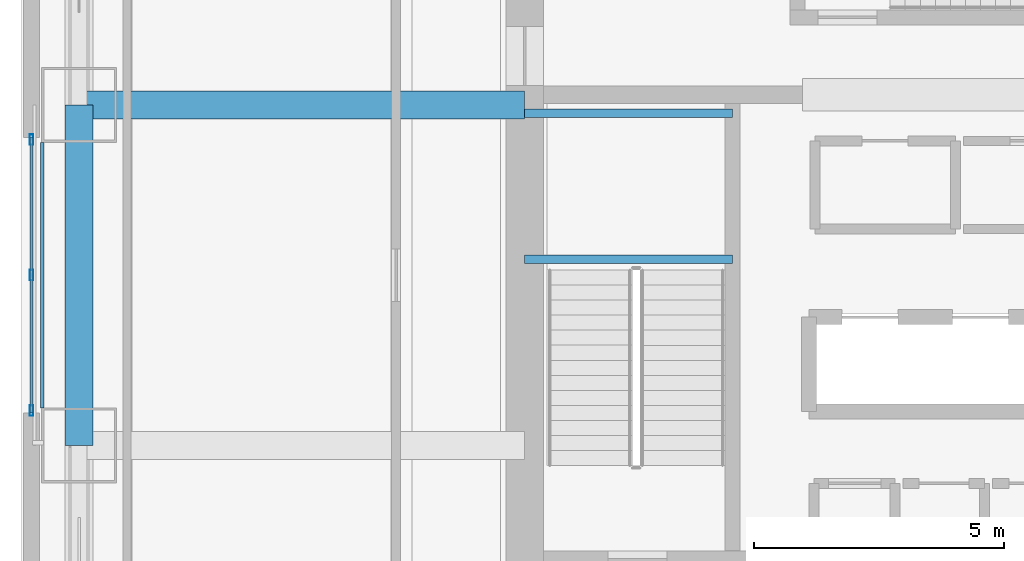
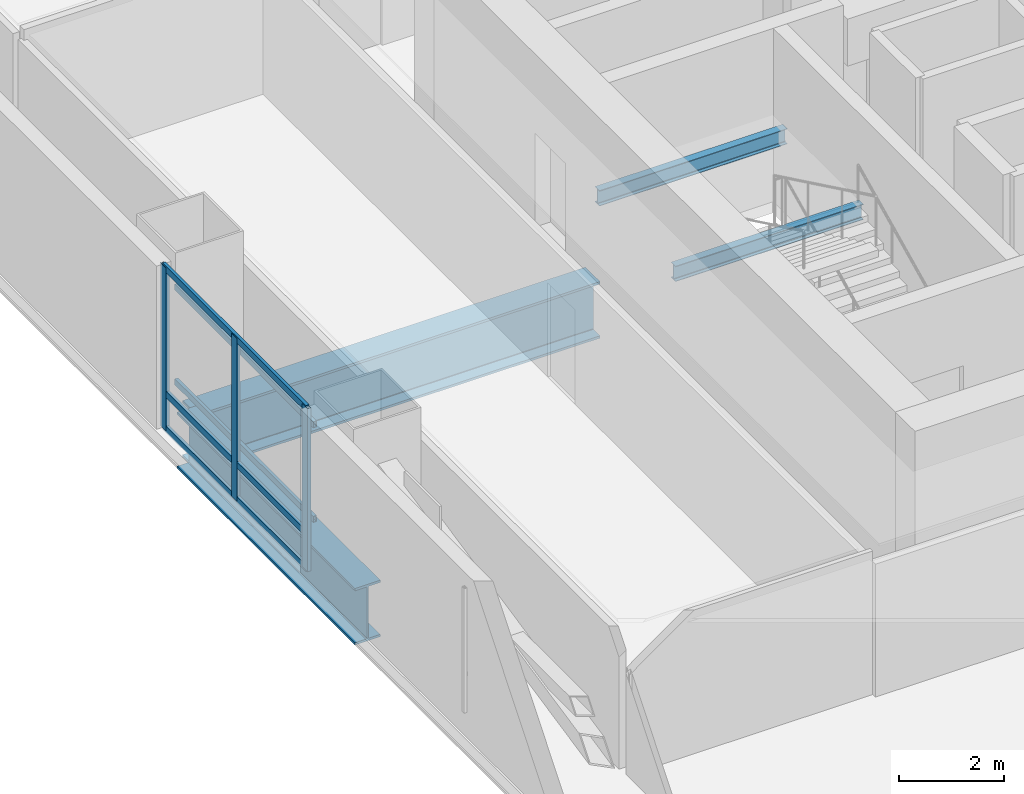
# One storey, part 2 of 28: 8 members, 4 beams, 1 element without a shape of its own.
"""IFC4 building model written with IfcOpenShell, lengths in metres."""

from ifc_helpers import new_model, si_unit, direction, frame, origin, origin_2d, place, context, subcontext, project, spatial, hollow_rectangle, i_section, extrude, material, material_profile, profile_set, type_object, element, aggregate, save


model = new_model("IFC4")

# Units and contexts
model_context = context("Model", 3, precision=1e-05, world=origin(), true_north=direction((0.0, 1.0)))
body_context = subcontext(model_context, "Body", "Model", "MODEL_VIEW")
ifc_project = project(units=[si_unit("LENGTHUNIT", "METRE"), si_unit("AREAUNIT", "SQUARE_METRE"), si_unit("VOLUMEUNIT", "CUBIC_METRE"), si_unit("PLANEANGLEUNIT", "RADIAN"), si_unit("MASSUNIT", "GRAM", prefix="KILO")], contexts=[model_context])

# Site, building, storey
site_placement = place(None, origin())
site = spatial("IfcSite", under=ifc_project, at=site_placement, CompositionType="ELEMENT")
building_placement = place(site_placement, origin())
building = spatial("IfcBuilding", under=site, at=building_placement, Name="Punatoya Terracotta Tower", CompositionType="ELEMENT")
storey_placement = place(building_placement, frame((0.0, 0.0, 93.0)))
storey = spatial("IfcBuildingStorey", under=building, at=storey_placement, Name="L21", CompositionType="ELEMENT", Elevation=93.0)

# Beams
ifc_material_1 = material(Name="Steel S355", Category="steel")
ifc_material_profile_1 = material_profile(ifc_material_1, i_section(OverallWidth=0.169921875, OverallDepth=0.360107421875, WebThickness=0.008056640625, FlangeThickness=0.0126953125, FilletRadius=0.01806640625, at=origin_2d()))
ifc_profile_set_1 = profile_set([ifc_material_profile_1], Name="Steel S355")
beam_type_1 = type_object("IfcBeamType", Name="BM-SEC-360", PredefinedType="JOIST", material=ifc_profile_set_1)
for number, where, z_axis, x_axis, name in (
    (1, (-10.199951171875, 0.320068359375, 1.64501953125), (1.0, 0.0, 0.0), (0.0, 1.0, 0.0), "BM-L21-ST-1-LD1A"),
    (2, (-10.199951171875, 3.22998046875, 1.64501953125), (1.0, 0.0, 0.0), (0.0, 1.0, 0.0), "BM-L21-ST-1-LD1B"),
):
    element("IfcBeam", number, at=place(storey_placement, frame(where, z_axis=z_axis, x_axis=x_axis)), inside=storey, type_object=beam_type_1, Name=name, PredefinedType="JOIST", context=body_context, shape_type="SweptSolid", body=[
        extrude(i_section(OverallWidth=0.169921875, OverallDepth=0.360107421875, WebThickness=0.008056640625, FlangeThickness=0.0126953125, FilletRadius=0.01806640625, at=origin_2d()), origin(), (0.0, 0.0, 1.0), 4.14990234375),
    ])
ifc_material_2 = material(Name="Steel S460", Category="steel")
ifc_material_profile_2 = material_profile(ifc_material_2, i_section(OverallWidth=0.56005859375, OverallDepth=1.320068359375, WebThickness=0.035888671875, FlangeThickness=0.054931640625, FilletRadius=0.01806640625, at=origin_2d()))
ifc_profile_set_2 = profile_set([ifc_material_profile_2], Name="Steel S460")
beam_type_2 = type_object("IfcBeamType", Name="BM-TG-BLK", PredefinedType="BEAM", material=ifc_profile_set_2)
beam_1_placement = place(storey_placement, frame((-19.10009765625, -3.39990234375, -0.93994140625), z_axis=(0.0, 1.0, 0.0), x_axis=(-1.0, 0.0, 0.0)))
element("IfcBeam", 3, at=beam_1_placement, inside=storey, type_object=beam_type_2, Name="BM-L21-RG-W2", PredefinedType="BEAM", context=body_context, shape_type="SweptSolid", body=[
    extrude(i_section(OverallWidth=0.56005859375, OverallDepth=1.320068359375, WebThickness=0.035888671875, FlangeThickness=0.054931640625, FilletRadius=0.01806640625, at=origin_2d()), origin(), (0.0, 0.0, 1.0), 6.7998046875),
])
beam_2_placement = place(storey_placement, frame((-19.10009765625, 3.39990234375, -0.93994140625), z_axis=(1.0, 0.0, 0.0), x_axis=(0.0, 1.0, 0.0)))
element("IfcBeam", 4, at=beam_2_placement, inside=storey, type_object=beam_type_2, Name="BM-L21-PR-WE", PredefinedType="BEAM", context=body_context, shape_type="SweptSolid", body=[
    extrude(i_section(OverallWidth=0.56005859375, OverallDepth=1.320068359375, WebThickness=0.035888671875, FlangeThickness=0.054931640625, FilletRadius=0.01806640625, at=origin_2d()), origin(), (0.0, 0.0, 1.0), 8.900146484375),
])

# Curtain wall, members
ifc_material_3 = material(Name="Aluminium 6063-T6 + Double Low-E Glass", Category="aluminium")
curtain_wall_type = type_object("IfcCurtainWallType", Name="CW-M1", PredefinedType="NOTDEFINED", material=ifc_material_3)
curtain_wall_placement = place(storey_placement, origin())
curtain_wall = element("IfcCurtainWall", 5, at=curtain_wall_placement, inside=storey, type_object=curtain_wall_type, Name="L21 Curtain Wall CW-L21-W13-1", PredefinedType="NOTDEFINED")
ifc_material_4 = material(Name="Aluminium 6063-T6", Category="aluminium")
ifc_material_profile_3 = material_profile(ifc_material_4, hollow_rectangle(XDim=0.074951171875, YDim=0.2099609375, WallThickness=0.00439453125, at=origin_2d()))
ifc_profile_set_3 = profile_set([ifc_material_profile_3], Name="Aluminium 6063-T6")
member_type_1 = type_object("IfcMemberType", Name="CW-MUL-M1", PredefinedType="MULLION", material=ifc_profile_set_3)
member_1_placement = place(storey_placement, frame((-20.050048828125, 2.705078125, 0.0), z_axis=(0.0, 0.0, 1.0), x_axis=(1.0, 0.0, 0.0)))
member_1 = element("IfcMember", 6, at=member_1_placement, type_object=member_type_1, Name="CW-L21-W13-1 Mullion 00", PredefinedType="MULLION", context=body_context, shape_type="SweptSolid", body=[
    extrude(hollow_rectangle(XDim=0.074951171875, YDim=0.2099609375, WallThickness=0.00439453125, at=origin_2d()), origin(), (0.0, 0.0, 1.0), 3.81005859375),
])
member_2_placement = place(storey_placement, frame((-20.050048828125, 0.0, 0.0), z_axis=(0.0, 0.0, 1.0), x_axis=(1.0, 0.0, 0.0)))
member_2 = element("IfcMember", 7, at=member_2_placement, type_object=member_type_1, Name="CW-L21-W13-1 Mullion 01", PredefinedType="MULLION", context=body_context, shape_type="SweptSolid", body=[
    extrude(hollow_rectangle(XDim=0.074951171875, YDim=0.2099609375, WallThickness=0.00439453125, at=origin_2d()), origin(), (0.0, 0.0, 1.0), 3.81005859375),
])
member_3_placement = place(storey_placement, frame((-20.050048828125, -2.705078125, 0.0), z_axis=(0.0, 0.0, 1.0), x_axis=(1.0, 0.0, 0.0)))
member_3 = element("IfcMember", 8, at=member_3_placement, type_object=member_type_1, Name="CW-L21-W13-1 Mullion 02", PredefinedType="MULLION", context=body_context, shape_type="SweptSolid", body=[
    extrude(hollow_rectangle(XDim=0.074951171875, YDim=0.2099609375, WallThickness=0.00439453125, at=origin_2d()), origin(), (0.0, 0.0, 1.0), 3.81005859375),
])
ifc_material_profile_4 = material_profile(ifc_material_4, hollow_rectangle(XDim=0.068115234375, YDim=0.14990234375, WallThickness=0.00390625, at=origin_2d()))
ifc_profile_set_4 = profile_set([ifc_material_profile_4], Name="Aluminium 6063-T6")
member_type_2 = type_object("IfcMemberType", Name="CW-TRN-TYP", PredefinedType="USERDEFINED", material=ifc_profile_set_4)
member_4_placement = place(storey_placement, frame((-20.050048828125, 2.75, 0.0400390625), z_axis=(0.0, -1.0, 0.0), x_axis=(1.0, 0.0, 0.0)))
member_4 = element("IfcMember", 9, at=member_4_placement, type_object=member_type_2, Name="CW-L21-W13-1 Transom 1", ObjectType="TRANSOM", PredefinedType="USERDEFINED", context=body_context, shape_type="SweptSolid", body=[
    extrude(hollow_rectangle(XDim=0.068115234375, YDim=0.14990234375, WallThickness=0.00390625, at=origin_2d()), origin(), (0.0, 0.0, 1.0), 5.5),
])
member_5_placement = place(storey_placement, frame((-20.050048828125, 2.75, 0.85009765625), z_axis=(0.0, -1.0, 0.0), x_axis=(1.0, 0.0, 0.0)))
member_5 = element("IfcMember", 10, at=member_5_placement, type_object=member_type_2, Name="CW-L21-W13-1 Transom 2", ObjectType="TRANSOM", PredefinedType="USERDEFINED", context=body_context, shape_type="SweptSolid", body=[
    extrude(hollow_rectangle(XDim=0.068115234375, YDim=0.14990234375, WallThickness=0.00390625, at=origin_2d()), origin(), (0.0, 0.0, 1.0), 5.5),
])
member_6_placement = place(storey_placement, frame((-20.050048828125, 2.75, 3.77001953125), z_axis=(0.0, -1.0, 0.0), x_axis=(1.0, 0.0, 0.0)))
member_6 = element("IfcMember", 11, at=member_6_placement, type_object=member_type_2, Name="CW-L21-W13-1 Transom 3", ObjectType="TRANSOM", PredefinedType="USERDEFINED", context=body_context, shape_type="SweptSolid", body=[
    extrude(hollow_rectangle(XDim=0.068115234375, YDim=0.14990234375, WallThickness=0.00390625, at=origin_2d()), origin(), (0.0, 0.0, 1.0), 5.5),
])
aggregate(curtain_wall, [member_1, member_2, member_3, member_4, member_5, member_6])

# Members
ifc_material_profile_5 = material_profile(ifc_material_1, hollow_rectangle(XDim=0.070068359375, YDim=0.139892578125, WallThickness=0.006103515625, at=origin_2d()))
ifc_profile_set_5 = profile_set([ifc_material_profile_5], Name="Steel S355")
member_type_3 = type_object("IfcMemberType", Name="MEM-BAG-RAIL", PredefinedType="USERDEFINED", material=ifc_profile_set_5)
for number, where, z_axis, x_axis, name in (
    (12, (-19.83203125, -2.650390625, 1.050048828125), (0.0, 1.0, 0.0), (-1.0, 0.0, 0.0), "L21 Terracotta Baguette Carrier Rail BAG-L21-W-R1"),
    (13, (-19.83203125, -2.650390625, 3.260009765625), (0.0, 1.0, 0.0), (-1.0, 0.0, 0.0), "L21 Terracotta Baguette Carrier Rail BAG-L21-W-R2"),
):
    element("IfcMember", number, at=place(storey_placement, frame(where, z_axis=z_axis, x_axis=x_axis)), inside=storey, type_object=member_type_3, Name=name, ObjectType="BAGUETTE", PredefinedType="USERDEFINED", context=body_context, shape_type="SweptSolid", body=[
        extrude(hollow_rectangle(XDim=0.070068359375, YDim=0.139892578125, WallThickness=0.006103515625, at=origin_2d()), origin(), (0.0, 0.0, 1.0), 5.30078125),
    ])

save(model, "model.ifc")
